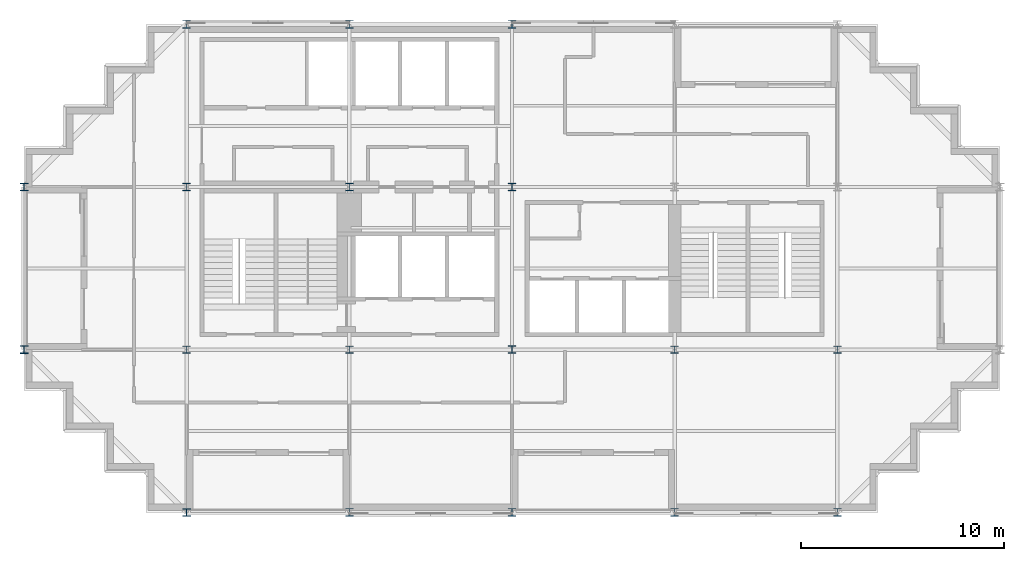
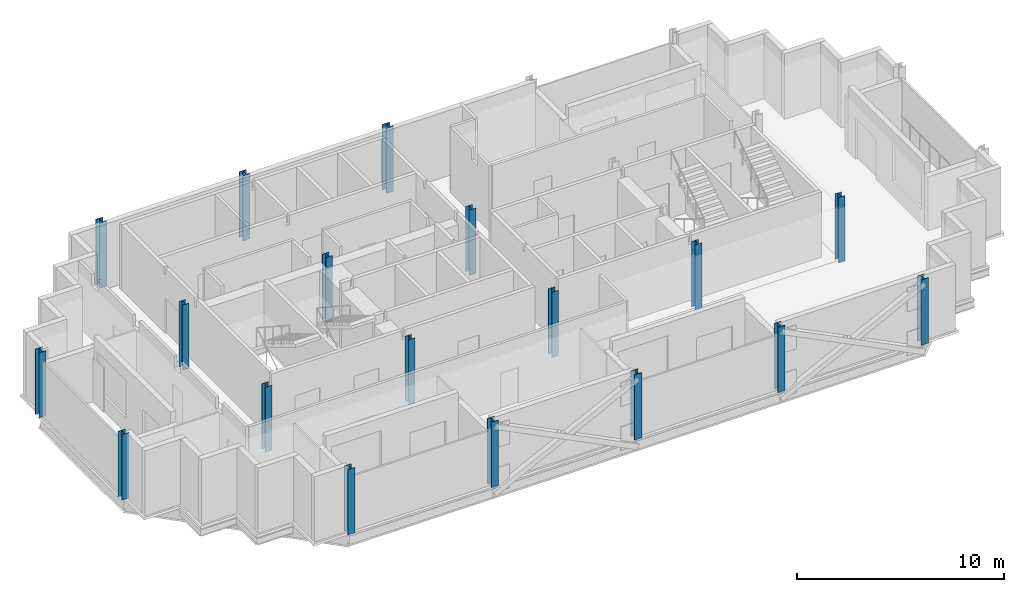
# One storey, part 1 of 8: 18 columns.
"""IFC4 building model written with IfcOpenShell, lengths in metres."""

from ifc_helpers import new_model, si_unit, direction, frame, origin, origin_2d, place, context, subcontext, project, spatial, i_section, extrude, material, material_profile, profile_set, type_object, element, save


model = new_model("IFC4")

# Units and contexts
model_context = context("Model", 3, precision=1e-05, world=origin(), true_north=direction((0.0, 1.0)))
body_context = subcontext(model_context, "Body", "Model", "MODEL_VIEW")
ifc_project = project(units=[si_unit("LENGTHUNIT", "METRE"), si_unit("AREAUNIT", "SQUARE_METRE"), si_unit("VOLUMEUNIT", "CUBIC_METRE"), si_unit("PLANEANGLEUNIT", "RADIAN"), si_unit("MASSUNIT", "GRAM", prefix="KILO")], contexts=[model_context])

# Site, building, storey
site_placement = place(None, origin())
site = spatial("IfcSite", under=ifc_project, at=site_placement, CompositionType="ELEMENT")
building_placement = place(site_placement, origin())
building = spatial("IfcBuilding", under=site, at=building_placement, Name="Immortelle Media Tower", CompositionType="ELEMENT")
storey_placement = place(building_placement, frame((0.0, 0.0, 267.0)))
storey = spatial("IfcBuildingStorey", under=building, at=storey_placement, Name="L58", CompositionType="ELEMENT", Elevation=267.0)

# Columns
ifc_material = material(Name="Steel ASTM A992 Gr 50", Category="steel")
ifc_material_profile_1 = material_profile(ifc_material, i_section(OverallWidth=0.373046875, OverallDepth=0.367919921875, WebThickness=0.014892578125, FlangeThickness=0.02392578125, at=origin_2d()), Name="W14x120")
ifc_profile_set_1 = profile_set([ifc_material_profile_1], Name="Steel ASTM A992 Gr 50")
column_type_1 = type_object("IfcColumnType", Name="W14x120 column", PredefinedType="COLUMN", material=ifc_profile_set_1)
for number, where, z_axis, x_axis, name in (
    (1, (24.0, 8.0, 0.0), (0.0, 0.0, 1.0), (1.0, 0.0, 0.0), "Column 4/B"),
    (2, (24.0, 16.0, 0.0), (0.0, 0.0, 1.0), (1.0, 0.0, 0.0), "Column 4/C"),
):
    element("IfcColumn", number, at=place(storey_placement, frame(where, z_axis=z_axis, x_axis=x_axis)), inside=storey, type_object=column_type_1, Name=name, PredefinedType="COLUMN", context=body_context, shape_type="SweptSolid", body=[
        extrude(i_section(OverallWidth=0.373046875, OverallDepth=0.367919921875, WebThickness=0.014892578125, FlangeThickness=0.02392578125, at=origin_2d()), origin(), (0.0, 0.0, 1.0), 3.85009765625),
    ])
ifc_material_profile_2 = material_profile(ifc_material, i_section(OverallWidth=0.39404296875, OverallDepth=0.3759765625, WebThickness=0.01708984375, FlangeThickness=0.028076171875, at=origin_2d()), Name="W14x145")
ifc_profile_set_2 = profile_set([ifc_material_profile_2], Name="Steel ASTM A992 Gr 50")
column_type_2 = type_object("IfcColumnType", Name="W14x145 column", PredefinedType="COLUMN", material=ifc_profile_set_2)
for number, where, z_axis, x_axis, name in (
    (3, (0.0, 8.0, 0.0), (0.0, 0.0, 1.0), (1.0, 0.0, 0.0), "Column 1/B"),
    (4, (0.0, 16.0, 0.0), (0.0, 0.0, 1.0), (1.0, 0.0, 0.0), "Column 1/C"),
    (5, (8.0, 0.0, 0.0), (0.0, 0.0, 1.0), (1.0, 0.0, 0.0), "Column 2/A"),
):
    element("IfcColumn", number, at=place(storey_placement, frame(where, z_axis=z_axis, x_axis=x_axis)), inside=storey, type_object=column_type_2, Name=name, PredefinedType="COLUMN", context=body_context, shape_type="SweptSolid", body=[
        extrude(i_section(OverallWidth=0.39404296875, OverallDepth=0.3759765625, WebThickness=0.01708984375, FlangeThickness=0.028076171875, at=origin_2d()), origin(), (0.0, 0.0, 1.0), 3.85009765625),
    ])
ifc_material_profile_3 = material_profile(ifc_material, i_section(OverallWidth=0.40087890625, OverallDepth=0.39892578125, WebThickness=0.02490234375, FlangeThickness=0.0400390625, at=origin_2d()), Name="W14x211")
ifc_profile_set_3 = profile_set([ifc_material_profile_3], Name="Steel ASTM A992 Gr 50")
column_type_3 = type_object("IfcColumnType", Name="W14x211 column", PredefinedType="COLUMN", material=ifc_profile_set_3)
for number, where, z_axis, x_axis, name in (
    (6, (8.0, 24.0, 0.0), (0.0, 0.0, 1.0), (1.0, 0.0, 0.0), "Column 2/D"),
    (7, (16.0, 0.0, 0.0), (0.0, 0.0, 1.0), (1.0, 0.0, 0.0), "Column 3/A"),
    (8, (16.0, 24.0, 0.0), (0.0, 0.0, 1.0), (1.0, 0.0, 0.0), "Column 3/D"),
    (9, (24.0, 0.0, 0.0), (0.0, 0.0, 1.0), (1.0, 0.0, 0.0), "Column 4/A"),
    (10, (24.0, 24.0, 0.0), (0.0, 0.0, 1.0), (1.0, 0.0, 0.0), "Column 4/D"),
    (11, (32.0, 0.0, 0.0), (0.0, 0.0, 1.0), (1.0, 0.0, 0.0), "Column 5/A"),
    (12, (40.0, 0.0, 0.0), (0.0, 0.0, 1.0), (1.0, 0.0, 0.0), "Column 6/A"),
):
    element("IfcColumn", number, at=place(storey_placement, frame(where, z_axis=z_axis, x_axis=x_axis)), inside=storey, type_object=column_type_3, Name=name, PredefinedType="COLUMN", context=body_context, shape_type="SweptSolid", body=[
        extrude(i_section(OverallWidth=0.40087890625, OverallDepth=0.39892578125, WebThickness=0.02490234375, FlangeThickness=0.0400390625, at=origin_2d()), origin(), (0.0, 0.0, 1.0), 3.85009765625),
    ])
ifc_material_profile_4 = material_profile(ifc_material, i_section(OverallWidth=0.37109375, OverallDepth=0.361083984375, WebThickness=0.011962890625, FlangeThickness=0.02001953125, at=origin_2d()), Name="W14x99")
ifc_profile_set_4 = profile_set([ifc_material_profile_4], Name="Steel ASTM A992 Gr 50")
column_type_4 = type_object("IfcColumnType", Name="W14x99 column", PredefinedType="COLUMN", material=ifc_profile_set_4)
for number, where, z_axis, x_axis, name in (
    (13, (8.0, 8.0, 0.0), (0.0, 0.0, 1.0), (1.0, 0.0, 0.0), "Column 2/B"),
    (14, (8.0, 16.0, 0.0), (0.0, 0.0, 1.0), (1.0, 0.0, 0.0), "Column 2/C"),
    (15, (16.0, 8.0, 0.0), (0.0, 0.0, 1.0), (1.0, 0.0, 0.0), "Column 3/B"),
    (16, (16.0, 16.0, 0.0), (0.0, 0.0, 1.0), (1.0, 0.0, 0.0), "Column 3/C"),
    (17, (32.0, 8.0, 0.0), (0.0, 0.0, 1.0), (1.0, 0.0, 0.0), "Column 5/B"),
    (18, (40.0, 8.0, 0.0), (0.0, 0.0, 1.0), (1.0, 0.0, 0.0), "Column 6/B"),
):
    element("IfcColumn", number, at=place(storey_placement, frame(where, z_axis=z_axis, x_axis=x_axis)), inside=storey, type_object=column_type_4, Name=name, PredefinedType="COLUMN", context=body_context, shape_type="SweptSolid", body=[
        extrude(i_section(OverallWidth=0.37109375, OverallDepth=0.361083984375, WebThickness=0.011962890625, FlangeThickness=0.02001953125, at=origin_2d()), origin(), (0.0, 0.0, 1.0), 3.85009765625),
    ])

save(model, "model.ifc")
